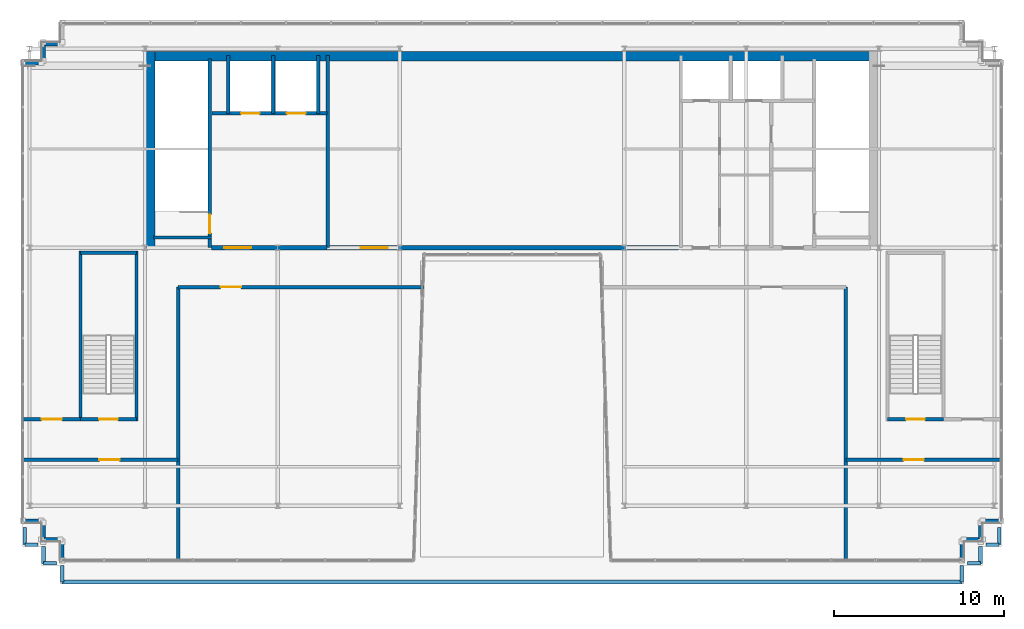
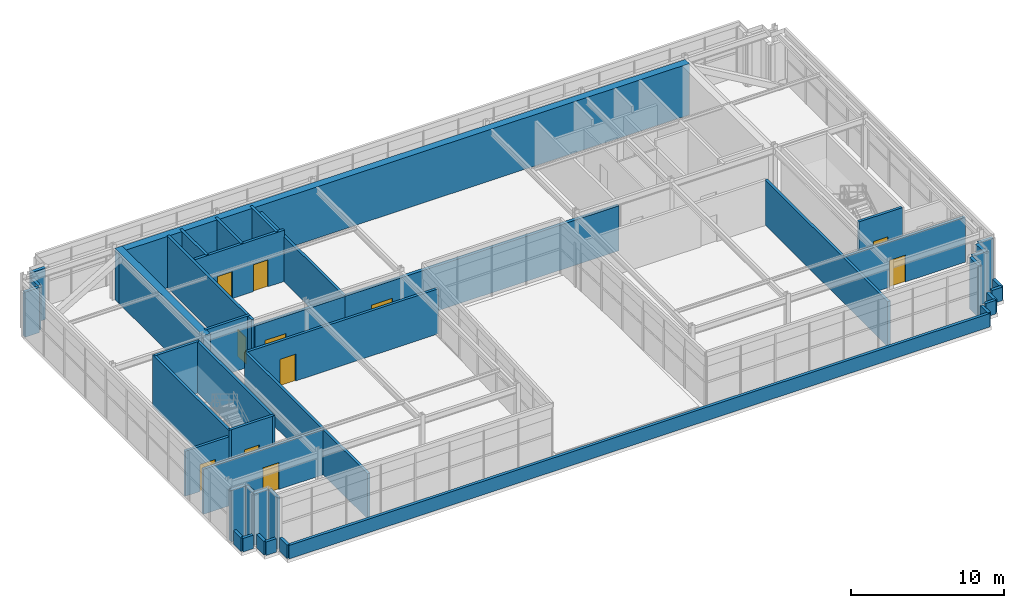
# One storey, part 33 of 37: 44 walls, 11 doors, 11 openings.
"""IFC4 building model written with IfcOpenShell, lengths in metres."""

from ifc_helpers import new_model, si_unit, direction, frame, frame_2d, origin, place, context, subcontext, project, spatial, rectangle, extrude, source, transform, mapped, material, layer, layer_set, type_object, element, fill, save


model = new_model("IFC4")

# Units and contexts
model_context = context("Model", 3, precision=1e-05, world=origin(), true_north=direction((0.0, 1.0)))
body_context = subcontext(model_context, "Body", "Model", "MODEL_VIEW")
ifc_project = project(units=[si_unit("LENGTHUNIT", "METRE"), si_unit("AREAUNIT", "SQUARE_METRE"), si_unit("VOLUMEUNIT", "CUBIC_METRE"), si_unit("PLANEANGLEUNIT", "RADIAN"), si_unit("MASSUNIT", "GRAM", prefix="KILO")], contexts=[model_context])

# Site, building, storey
site_placement = place(None, origin())
site = spatial("IfcSite", under=ifc_project, at=site_placement, CompositionType="ELEMENT")
building_placement = place(site_placement, origin())
building = spatial("IfcBuilding", under=site, at=building_placement, Name="Trelvane Seafront Commons", CompositionType="ELEMENT")
storey_placement = place(building_placement, frame((0.0, 0.0, 303.5)))
storey = spatial("IfcBuildingStorey", under=building, at=storey_placement, Name="L79", CompositionType="ELEMENT", Elevation=303.5)

# Walls
ifc_material_1 = material(Name="Precast concrete C40/50", Category="concrete")
ifc_layer_1 = layer(ifc_material_1, 0.239990234375, Name="ARCH-WALL-EXT240")
ifc_layer_set_1 = layer_set([ifc_layer_1], Name="Precast concrete C40/50")
wall_type_1 = type_object("IfcWallType", Name="ARCH-WALL-EXT240", PredefinedType="SOLIDWALL", material=ifc_layer_set_1)
wall_1_placement = place(storey_placement, frame((10.60009765625, 16.219970703125, 0.0), z_axis=(0.0, 0.0, 1.0), x_axis=(-1.0, 0.0, 0.0)))
element("IfcWall", 1, at=wall_1_placement, inside=storey, type_object=wall_type_1, Name="EW-L79-CRN-01621", PredefinedType="SOLIDWALL", context=body_context, shape_type="SweptSolid", body=[
    extrude(rectangle(XDim=1.10009765625, YDim=0.239990234375, at=frame_2d((0.550048828125, 0.0))), origin(), (0.0, 0.0, 1.0), 4.10009765625),
])
wall_2_placement = place(storey_placement, frame((9.6201171875, 16.10009765625, 0.0), z_axis=(0.0, 0.0, 1.0), x_axis=(0.0, 1.0, 0.0)))
element("IfcWall", 2, at=wall_2_placement, inside=storey, type_object=wall_type_1, Name="EW-L79-CRN-01622", PredefinedType="SOLIDWALL", context=body_context, shape_type="SweptSolid", body=[
    extrude(rectangle(XDim=1.099853515625, YDim=0.239990234375, at=frame_2d((0.5498046875, 0.0))), origin(), (0.0, 0.0, 1.0), 4.10009765625),
])
wall_3_placement = place(storey_placement, frame((9.5, 17.320068359375, 0.0), z_axis=(0.0, 0.0, 1.0), x_axis=(-1.0, 0.0, 0.0)))
element("IfcWall", 3, at=wall_3_placement, inside=storey, type_object=wall_type_1, Name="EW-L79-CRN-01623", PredefinedType="SOLIDWALL", context=body_context, shape_type="SweptSolid", body=[
    extrude(rectangle(XDim=1.10009765625, YDim=0.239990234375, at=frame_2d((0.550048828125, 0.0))), origin(), (0.0, 0.0, 1.0), 4.10009765625),
])
for number, where, z_axis, x_axis, name in (
    (4, (8.39990234375, 44.280029296875, 0.0), (0.0, 0.0, 1.0), (1.0, 0.0, 0.0), "EW-L79-CRN-01624"),
    (5, (9.6201171875, 44.39990234375, 0.0), (0.0, 0.0, 1.0), (0.0, 1.0, 0.0), "EW-L79-CRN-01625"),
):
    element("IfcWall", number, at=place(storey_placement, frame(where, z_axis=z_axis, x_axis=x_axis)), inside=storey, type_object=wall_type_1, Name=name, PredefinedType="SOLIDWALL", context=body_context, shape_type="SweptSolid", body=[
        extrude(rectangle(XDim=1.10009765625, YDim=0.239990234375, at=frame_2d((0.550048828125, 0.0))), origin(), (0.0, 0.0, 1.0), 3.60009765625),
    ])
for number, where, z_axis, x_axis, name in (
    (6, (9.5, 45.3798828125, 0.0), (0.0, 0.0, 1.0), (1.0, 0.0, 0.0), "EW-L79-CRN-01626"),
    (7, (66.0, 17.320068359375, 0.0), (0.0, 0.0, 1.0), (-1.0, 0.0, 0.0), "EW-L79-CRN-01632"),
):
    element("IfcWall", number, at=place(storey_placement, frame(where, z_axis=z_axis, x_axis=x_axis)), inside=storey, type_object=wall_type_1, Name=name, PredefinedType="SOLIDWALL", context=body_context, shape_type="SweptSolid", body=[
        extrude(rectangle(XDim=1.10009765625, YDim=0.239990234375, at=frame_2d((0.550048828125, 0.0))), origin(), (0.0, 0.0, 1.0), 4.10009765625),
    ])
for number, where, z_axis, x_axis, name in (
    (8, (64.780029296875, 17.199951171875, 0.0), (0.0, 0.0, 1.0), (0.0, -1.0, 0.0), "EW-L79-CRN-01633"),
    (9, (64.89990234375, 16.219970703125, 0.0), (0.0, 0.0, 1.0), (-1.0, 0.0, 0.0), "EW-L79-CRN-01634"),
):
    element("IfcWall", number, at=place(storey_placement, frame(where, z_axis=z_axis, x_axis=x_axis)), inside=storey, type_object=wall_type_1, Name=name, PredefinedType="SOLIDWALL", context=body_context, shape_type="SweptSolid", body=[
        extrude(rectangle(XDim=1.099853515625, YDim=0.239990234375, at=frame_2d((0.5498046875, 0.0))), origin(), (0.0, 0.0, 1.0), 4.10009765625),
    ])
for number, where, z_axis, x_axis, name in (
    (10, (63.679931640625, 16.10009765625, 0.0), (0.0, 0.0, 1.0), (0.0, -1.0, 0.0), "EW-L79-CRN-01635"),
    (11, (10.719970703125, 15.0, 0.0), (0.0, 0.0, 1.0), (0.0, 1.0, 0.0), "EW-L79-CRN-01636"),
):
    element("IfcWall", number, at=place(storey_placement, frame(where, z_axis=z_axis, x_axis=x_axis)), inside=storey, type_object=wall_type_1, Name=name, PredefinedType="SOLIDWALL", context=body_context, shape_type="SweptSolid", body=[
        extrude(rectangle(XDim=1.10009765625, YDim=0.239990234375, at=frame_2d((0.550048828125, 0.0))), origin(), (0.0, 0.0, 1.0), 4.10009765625),
    ])

# Wall, opening, door
ifc_material_2 = material(Name="Concrete C40/50", Category="concrete")
ifc_layer_2 = layer(ifc_material_2, 0.199951171875, Name="ARCH-WALL-FIRE200")
ifc_layer_set_2 = layer_set([ifc_layer_2], Name="Concrete C40/50")
wall_type_2 = type_object("IfcWallType", Name="ARCH-WALL-FIRE200", PredefinedType="PARTITIONING", material=ifc_layer_set_2)
wall_4_placement = place(storey_placement, frame((17.550048828125, 31.080078125, 0.0), z_axis=(0.0, 0.0, 1.0), x_axis=(1.0, 0.0, 0.0)))
wall_4 = element("IfcWall", 12, at=wall_4_placement, inside=storey, type_object=wall_type_2, Name="W-L79-CRN79-NW-032", PredefinedType="PARTITIONING", context=body_context, shape_type="SweptSolid", body=[
    extrude(rectangle(XDim=14.469970703125, YDim=0.199951171875, at=frame_2d((7.23486328125, 0.0))), origin(), (0.0, 0.0, 1.0), 3.60009765625),
])
opening_1_placement = place(wall_4_placement, frame((2.5, 0.0, 0.0)))
opening_1 = element("IfcOpeningElement", 13, at=opening_1_placement, cuts=wall_4, Name="Opening FD-L79-16", PredefinedType="OPENING", context=body_context, shape_type="SweptSolid", body=[
    extrude(rectangle(XDim=1.199951171875, YDim=2.14990234375, at=frame_2d((0.60009765625, 1.074951171875))), frame((0.0, 0.10986328125, 0.0), z_axis=(0.0, -1.0, 0.0), x_axis=(1.0, 0.0, 0.0)), (0.0, 0.0, 1.0), 0.219970703125),
])
ifc_material_3 = material(Name="Powder-coated aluminium frame", Category="aluminium")
door_type_1 = type_object("IfcDoorType", Name="ARCH-DR-FD60-1200", OperationType="NOTDEFINED", PredefinedType="DOOR", material=ifc_material_3)
shared_shape_1 = source(origin(), body_context, "Body", "SweptSolid", [
    extrude(rectangle(XDim=1.199951171875, YDim=2.14990234375, at=frame_2d((0.60009765625, 1.074951171875))), frame((0.0, 0.02490234375, 0.0), z_axis=(0.0, -1.0, 0.0), x_axis=(1.0, 0.0, 0.0)), (0.0, 0.0, 1.0), 0.050048828125),
])
door_1_placement = place(opening_1_placement, origin())
door_1 = element("IfcDoor", 14, at=door_1_placement, inside=storey, type_object=door_type_1, Name="L79 Door 16", OperationType="SINGLE_SWING_RIGHT", OverallHeight=2.14990234375, OverallWidth=1.199951171875, PredefinedType="DOOR", context=body_context, shape_type="MappedRepresentation", body=[
    mapped(shared_shape_1, transform((0.0, 0.0, 0.0), x_axis=(1.0, 0.0, 0.0), y_axis=(0.0, 1.0, 0.0), z_axis=(0.0, 0.0, 1.0), scale=1.0)),
])
fill(opening_1, door_1)

# Wall
wall_5_placement = place(storey_placement, frame((17.550048828125, 15.010009765625, 0.0), z_axis=(0.0, 0.0, 1.0), x_axis=(0.0, 1.0, 0.0)))
element("IfcWall", 15, at=wall_5_placement, inside=storey, type_object=wall_type_2, Name="W-L79-CRN79-WE-034", PredefinedType="PARTITIONING", context=body_context, shape_type="SweptSolid", body=[
    extrude(rectangle(XDim=16.070068359375, YDim=0.199951171875, at=frame_2d((8.03515625, 0.0))), origin(), (0.0, 0.0, 1.0), 3.60009765625),
])

# Wall, opening, door
wall_6_placement = place(storey_placement, frame((8.409912109375, 20.919921875, 0.0), z_axis=(0.0, 0.0, 1.0), x_axis=(1.0, 0.0, 0.0)))
wall_6 = element("IfcWall", 16, at=wall_6_placement, inside=storey, type_object=wall_type_2, Name="W-L79-CRN79-WS-035", PredefinedType="PARTITIONING", context=body_context, shape_type="SweptSolid", body=[
    extrude(rectangle(XDim=9.14013671875, YDim=0.199951171875, at=frame_2d((4.570068359375, 0.0))), origin(), (0.0, 0.0, 1.0), 3.60009765625),
])
opening_2_placement = place(wall_6_placement, frame((4.5, 0.0, 0.0)))
opening_2 = element("IfcOpeningElement", 17, at=opening_2_placement, cuts=wall_6, Name="Opening FD-L79-18", PredefinedType="OPENING", context=body_context, shape_type="SweptSolid", body=[
    extrude(rectangle(XDim=1.199951171875, YDim=2.14990234375, at=frame_2d((0.60009765625, 1.074951171875))), frame((0.0, 0.10986328125, 0.0), z_axis=(0.0, -1.0, 0.0), x_axis=(1.0, 0.0, 0.0)), (0.0, 0.0, 1.0), 0.219970703125),
])
door_2_placement = place(opening_2_placement, origin())
door_2 = element("IfcDoor", 18, at=door_2_placement, inside=storey, type_object=door_type_1, Name="L79 Door 18", OperationType="SINGLE_SWING_RIGHT", OverallHeight=2.14990234375, OverallWidth=1.199951171875, PredefinedType="DOOR", context=body_context, shape_type="MappedRepresentation", body=[
    mapped(shared_shape_1, transform((0.0, 0.0, 0.0), x_axis=(1.0, 0.0, 0.0), y_axis=(0.0, 1.0, 0.0), z_axis=(0.0, 0.0, 1.0), scale=1.0)),
])
fill(opening_2, door_2)

wall_7_placement = place(storey_placement, frame((8.409912109375, 23.300048828125, 0.0), z_axis=(0.0, 0.0, 1.0), x_axis=(1.0, 0.0, 0.0)))
wall_7 = element("IfcWall", 19, at=wall_7_placement, inside=storey, type_object=wall_type_2, Name="W-L79-CRN79-WCT-036", PredefinedType="PARTITIONING", context=body_context, shape_type="SweptSolid", body=[
    extrude(rectangle(XDim=3.39013671875, YDim=0.199951171875, at=frame_2d((1.695068359375, 0.0))), origin(), (0.0, 0.0, 1.0), 3.60009765625),
])
opening_3_placement = place(wall_7_placement, frame((1.10009765625, 0.0, 0.0)))
opening_3 = element("IfcOpeningElement", 20, at=opening_3_placement, cuts=wall_7, Name="Opening FD-L79-19", PredefinedType="OPENING", context=body_context, shape_type="SweptSolid", body=[
    extrude(rectangle(XDim=1.199951171875, YDim=2.14990234375, at=frame_2d((0.60009765625, 1.074951171875))), frame((0.0, 0.10986328125, 0.0), z_axis=(0.0, -1.0, 0.0), x_axis=(1.0, 0.0, 0.0)), (0.0, 0.0, 1.0), 0.219970703125),
])
door_3_placement = place(opening_3_placement, origin())
door_3 = element("IfcDoor", 21, at=door_3_placement, inside=storey, type_object=door_type_1, Name="L79 Door 19", OperationType="SINGLE_SWING_LEFT", OverallHeight=2.14990234375, OverallWidth=1.199951171875, PredefinedType="DOOR", context=body_context, shape_type="MappedRepresentation", body=[
    mapped(shared_shape_1, transform((0.0, 0.0, 0.0), x_axis=(1.0, 0.0, 0.0), y_axis=(0.0, 1.0, 0.0), z_axis=(0.0, 0.0, 1.0), scale=1.0)),
])
fill(opening_3, door_3)

# Wall
wall_8_placement = place(storey_placement, frame((56.85009765625, 15.010009765625, 0.0), z_axis=(0.0, 0.0, 1.0), x_axis=(0.0, 1.0, 0.0)))
element("IfcWall", 22, at=wall_8_placement, inside=storey, type_object=wall_type_2, Name="W-L79-CRN79-EW-037", PredefinedType="PARTITIONING", context=body_context, shape_type="SweptSolid", body=[
    extrude(rectangle(XDim=16.070068359375, YDim=0.199951171875, at=frame_2d((8.03515625, 0.0))), origin(), (0.0, 0.0, 1.0), 3.60009765625),
])

# Wall, opening, door
wall_9_placement = place(storey_placement, frame((56.85009765625, 20.919921875, 0.0), z_axis=(0.0, 0.0, 1.0), x_axis=(1.0, 0.0, 0.0)))
wall_9 = element("IfcWall", 23, at=wall_9_placement, inside=storey, type_object=wall_type_2, Name="W-L79-CRN79-ES-038", PredefinedType="PARTITIONING", context=body_context, shape_type="SweptSolid", body=[
    extrude(rectangle(XDim=9.139892578125, YDim=0.199951171875, at=frame_2d((4.56982421875, 0.0))), origin(), (0.0, 0.0, 1.0), 3.60009765625),
])
opening_4_placement = place(wall_9_placement, frame((3.39990234375, 0.0, 0.0)))
opening_4 = element("IfcOpeningElement", 24, at=opening_4_placement, cuts=wall_9, Name="Opening FD-L79-20", PredefinedType="OPENING", context=body_context, shape_type="SweptSolid", body=[
    extrude(rectangle(XDim=1.199951171875, YDim=2.14990234375, at=frame_2d((0.60009765625, 1.074951171875))), frame((0.0, 0.10986328125, 0.0), z_axis=(0.0, -1.0, 0.0), x_axis=(1.0, 0.0, 0.0)), (0.0, 0.0, 1.0), 0.219970703125),
])
door_4_placement = place(opening_4_placement, origin())
door_4 = element("IfcDoor", 25, at=door_4_placement, inside=storey, type_object=door_type_1, Name="L79 Door 20", OperationType="SINGLE_SWING_RIGHT", OverallHeight=2.14990234375, OverallWidth=1.199951171875, PredefinedType="DOOR", context=body_context, shape_type="MappedRepresentation", body=[
    mapped(shared_shape_1, transform((0.0, 0.0, 0.0), x_axis=(1.0, 0.0, 0.0), y_axis=(0.0, 1.0, 0.0), z_axis=(0.0, 0.0, 1.0), scale=1.0)),
])
fill(opening_4, door_4)

ifc_layer_3 = layer(ifc_material_2, 0.25, Name="ARCH-WALL-FIRE250")
ifc_layer_set_3 = layer_set([ifc_layer_3], Name="Concrete C40/50")
wall_type_3 = type_object("IfcWallType", Name="ARCH-WALL-FIRE250", PredefinedType="PARTITIONING", material=ifc_layer_set_3)
wall_10_placement = place(storey_placement, frame((19.5, 33.39990234375, 0.0), z_axis=(0.0, 0.0, 1.0), x_axis=(1.0, 0.0, 0.0)))
wall_10 = element("IfcWall", 26, at=wall_10_placement, inside=storey, type_object=wall_type_3, Name="W-L79-CS-FFL-021", PredefinedType="PARTITIONING", context=body_context, shape_type="SweptSolid", body=[
    extrude(rectangle(XDim=6.800048828125, YDim=0.25, at=frame_2d((3.39990234375, 0.0))), origin(), (0.0, 0.0, 1.0), 3.60009765625),
])
opening_5_placement = place(wall_10_placement, frame((0.75, 0.0, 0.0)))
opening_5 = element("IfcOpeningElement", 27, at=opening_5_placement, cuts=wall_10, Name="Opening FD-L79-07", PredefinedType="OPENING", context=body_context, shape_type="SweptSolid", body=[
    extrude(rectangle(XDim=1.60009765625, YDim=2.199951171875, at=frame_2d((0.800048828125, 1.10009765625))), frame((0.0, 0.135009765625, 0.0), z_axis=(0.0, -1.0, 0.0), x_axis=(1.0, 0.0, 0.0)), (0.0, 0.0, 1.0), 0.27001953125),
])
door_type_2 = type_object("IfcDoorType", Name="ARCH-DR-FD60-1600", OperationType="DOUBLE_DOOR_SINGLE_SWING", PredefinedType="DOOR", material=ifc_material_3)
shared_shape_2 = source(origin(), body_context, "Body", "SweptSolid", [
    extrude(rectangle(XDim=1.60009765625, YDim=2.199951171875, at=frame_2d((0.800048828125, 1.10009765625))), frame((0.0, 0.02490234375, 0.0), z_axis=(0.0, -1.0, 0.0), x_axis=(1.0, 0.0, 0.0)), (0.0, 0.0, 1.0), 0.050048828125),
])
door_5_placement = place(opening_5_placement, origin())
door_5 = element("IfcDoor", 28, at=door_5_placement, inside=storey, type_object=door_type_2, Name="L79 Firefighting Lift Lobby Double Fire Door", OperationType="DOUBLE_DOOR_SINGLE_SWING", OverallHeight=2.199951171875, OverallWidth=1.60009765625, PredefinedType="DOOR", context=body_context, shape_type="MappedRepresentation", body=[
    mapped(shared_shape_2, transform((0.0, 0.0, 0.0), x_axis=(1.0, 0.0, 0.0), y_axis=(0.0, 1.0, 0.0), z_axis=(0.0, 0.0, 1.0), scale=1.0)),
])
fill(opening_5, door_5)

wall_11_placement = place(storey_placement, frame((26.300048828125, 33.39990234375, 0.0), z_axis=(0.0, 0.0, 1.0), x_axis=(1.0, 0.0, 0.0)))
wall_11 = element("IfcWall", 29, at=wall_11_placement, inside=storey, type_object=wall_type_3, Name="W-L79-CS-MID-022", PredefinedType="PARTITIONING", context=body_context, shape_type="SweptSolid", body=[
    extrude(rectangle(XDim=20.699951171875, YDim=0.25, at=frame_2d((10.35009765625, 0.0))), origin(), (0.0, 0.0, 1.0), 3.60009765625),
])
opening_6_placement = place(wall_11_placement, frame((2.0, 0.0, 0.0)))
opening_6 = element("IfcOpeningElement", 30, at=opening_6_placement, cuts=wall_11, Name="Opening FD-L79-08", PredefinedType="OPENING", context=body_context, shape_type="SweptSolid", body=[
    extrude(rectangle(XDim=1.60009765625, YDim=2.199951171875, at=frame_2d((0.800048828125, 1.10009765625))), frame((0.0, 0.135009765625, 0.0), z_axis=(0.0, -1.0, 0.0), x_axis=(1.0, 0.0, 0.0)), (0.0, 0.0, 1.0), 0.27001953125),
])
door_6_placement = place(opening_6_placement, origin())
door_6 = element("IfcDoor", 31, at=door_6_placement, inside=storey, type_object=door_type_2, Name="L79 Core Technical Room Door", OperationType="DOUBLE_DOOR_SINGLE_SWING", OverallHeight=2.199951171875, OverallWidth=1.60009765625, PredefinedType="DOOR", context=body_context, shape_type="MappedRepresentation", body=[
    mapped(shared_shape_2, transform((0.0, 0.0, 0.0), x_axis=(1.0, 0.0, 0.0), y_axis=(0.0, 1.0, 0.0), z_axis=(0.0, 0.0, 1.0), scale=1.0)),
])
fill(opening_6, door_6)

# Walls
ifc_layer_4 = layer(ifc_material_1, 0.219970703125, Name="ARCH-WALL-PARAPET220")
ifc_layer_set_4 = layer_set([ifc_layer_4], Name="Precast concrete C40/50")
wall_type_4 = type_object("IfcWallType", Name="ARCH-WALL-PARAPET220", PredefinedType="PARAPET", material=ifc_layer_set_4)
wall_12_placement = place(storey_placement, frame((65.8798828125, 15.919921875, 0.0), z_axis=(0.0, 0.0, 1.0), x_axis=(-1.0, 0.0, 0.0)))
element("IfcWall", 32, at=wall_12_placement, inside=storey, type_object=wall_type_4, Name="PAR-L79-1637", PredefinedType="PARAPET", context=body_context, shape_type="SweptSolid", body=[
    extrude(rectangle(XDim=0.765625, YDim=0.219970703125, at=frame_2d((0.3828125, 0.0))), origin(), (0.0, 0.0, 1.0), 1.080078125),
])
wall_13_placement = place(storey_placement, frame((64.780029296875, 15.800048828125, 0.0), z_axis=(0.0, 0.0, 1.0), x_axis=(0.0, -1.0, 0.0)))
element("IfcWall", 33, at=wall_13_placement, inside=storey, type_object=wall_type_4, Name="PAR-L79-1638", PredefinedType="PARAPET", context=body_context, shape_type="SweptSolid", body=[
    extrude(rectangle(XDim=0.97998046875, YDim=0.219970703125, at=frame_2d((0.489990234375, 0.0))), origin(), (0.0, 0.0, 1.0), 1.080078125),
])
wall_14_placement = place(storey_placement, frame((64.780029296875, 14.820068359375, 0.0), z_axis=(0.0, 0.0, 1.0), x_axis=(-1.0, 0.0, 0.0)))
element("IfcWall", 34, at=wall_14_placement, inside=storey, type_object=wall_type_4, Name="PAR-L79-1639", PredefinedType="PARAPET", context=body_context, shape_type="SweptSolid", body=[
    extrude(rectangle(XDim=0.765625, YDim=0.219970703125, at=frame_2d((0.3828125, 0.0))), origin(), (0.0, 0.0, 1.0), 1.080078125),
])
wall_15_placement = place(storey_placement, frame((63.679931640625, 14.699951171875, 0.0), z_axis=(0.0, 0.0, 1.0), x_axis=(0.0, -1.0, 0.0)))
element("IfcWall", 35, at=wall_15_placement, inside=storey, type_object=wall_type_4, Name="PAR-L79-1640", PredefinedType="PARAPET", context=body_context, shape_type="SweptSolid", body=[
    extrude(rectangle(XDim=0.97998046875, YDim=0.219970703125, at=frame_2d((0.489990234375, 0.0))), origin(), (0.0, 0.0, 1.0), 1.080078125),
])
wall_16_placement = place(storey_placement, frame((63.679931640625, 13.719970703125, 0.0), z_axis=(0.0, 0.0, 1.0), x_axis=(-1.0, 0.0, 0.0)))
element("IfcWall", 36, at=wall_16_placement, inside=storey, type_object=wall_type_4, Name="PAR-L79-1641", PredefinedType="PARAPET", context=body_context, shape_type="SweptSolid", body=[
    extrude(rectangle(XDim=52.9599609375, YDim=0.219970703125, at=frame_2d((26.47998046875, 0.0))), origin(), (0.0, 0.0, 1.0), 1.080078125),
])
wall_17_placement = place(storey_placement, frame((10.719970703125, 13.719970703125, 0.0), z_axis=(0.0, 0.0, 1.0), x_axis=(0.0, 1.0, 0.0)))
element("IfcWall", 37, at=wall_17_placement, inside=storey, type_object=wall_type_4, Name="PAR-L79-1642", PredefinedType="PARAPET", context=body_context, shape_type="SweptSolid", body=[
    extrude(rectangle(XDim=0.97998046875, YDim=0.219970703125, at=frame_2d((0.489990234375, 0.0))), origin(), (0.0, 0.0, 1.0), 1.080078125),
])
wall_18_placement = place(storey_placement, frame((10.3857421875, 14.820068359375, 0.0), z_axis=(0.0, 0.0, 1.0), x_axis=(-1.0, 0.0, 0.0)))
element("IfcWall", 38, at=wall_18_placement, inside=storey, type_object=wall_type_4, Name="PAR-L79-1643", PredefinedType="PARAPET", context=body_context, shape_type="SweptSolid", body=[
    extrude(rectangle(XDim=0.765625, YDim=0.219970703125, at=frame_2d((0.3828125, 0.0))), origin(), (0.0, 0.0, 1.0), 1.080078125),
])
wall_19_placement = place(storey_placement, frame((9.6201171875, 14.820068359375, 0.0), z_axis=(0.0, 0.0, 1.0), x_axis=(0.0, 1.0, 0.0)))
element("IfcWall", 39, at=wall_19_placement, inside=storey, type_object=wall_type_4, Name="PAR-L79-1644", PredefinedType="PARAPET", context=body_context, shape_type="SweptSolid", body=[
    extrude(rectangle(XDim=0.97998046875, YDim=0.219970703125, at=frame_2d((0.489990234375, 0.0))), origin(), (0.0, 0.0, 1.0), 1.080078125),
])
wall_20_placement = place(storey_placement, frame((9.28564453125, 15.919921875, 0.0), z_axis=(0.0, 0.0, 1.0), x_axis=(-1.0, 0.0, 0.0)))
element("IfcWall", 40, at=wall_20_placement, inside=storey, type_object=wall_type_4, Name="PAR-L79-1645", PredefinedType="PARAPET", context=body_context, shape_type="SweptSolid", body=[
    extrude(rectangle(XDim=0.765625, YDim=0.219970703125, at=frame_2d((0.3828125, 0.0))), origin(), (0.0, 0.0, 1.0), 1.080078125),
])
for number, where, z_axis, x_axis, name in (
    (41, (8.52001953125, 15.919921875, 0.0), (0.0, 0.0, 1.0), (0.0, 1.0, 0.0), "PAR-L79-1646"),
    (42, (65.8798828125, 16.919921875, 0.0), (0.0, 0.0, 1.0), (0.0, -1.0, 0.0), "PAR-L79-1647"),
):
    element("IfcWall", number, at=place(storey_placement, frame(where, z_axis=z_axis, x_axis=x_axis)), inside=storey, type_object=wall_type_4, Name=name, PredefinedType="PARAPET", context=body_context, shape_type="SweptSolid", body=[
        extrude(rectangle(XDim=1.0, YDim=0.219970703125, at=frame_2d((0.5, 0.0))), origin(), (0.0, 0.0, 1.0), 1.080078125),
    ])

# Wall, openings, doors
ifc_layer_5 = layer(ifc_material_2, 0.199951171875, Name="ARCH-WALL-SHAFT200")
ifc_layer_set_5 = layer_set([ifc_layer_5], Name="Concrete C40/50")
wall_type_5 = type_object("IfcWallType", Name="ARCH-WALL-SHAFT200", PredefinedType="SOLIDWALL", material=ifc_layer_set_5)
wall_21_placement = place(storey_placement, frame((19.550048828125, 41.300048828125, 0.0), z_axis=(0.0, 0.0, 1.0), x_axis=(1.0, 0.0, 0.0)))
wall_21 = element("IfcWall", 43, at=wall_21_placement, inside=storey, type_object=wall_type_5, Name="W-L79-FFL-FRONT-016", PredefinedType="SOLIDWALL", context=body_context, shape_type="SweptSolid", body=[
    extrude(rectangle(XDim=6.75, YDim=0.199951171875, at=frame_2d((3.375, 0.0))), origin(), (0.0, 0.0, 1.0), 4.10009765625),
])
opening_7_placement = place(wall_21_placement, frame((1.699951171875, 0.0, 0.0)))
opening_7 = element("IfcOpeningElement", 44, at=opening_7_placement, cuts=wall_21, Name="Opening LD-FF1-L79", PredefinedType="OPENING", context=body_context, shape_type="SweptSolid", body=[
    extrude(rectangle(XDim=1.10009765625, YDim=2.14990234375, at=frame_2d((0.550048828125, 1.074951171875))), frame((0.0, 0.10986328125, 0.0), z_axis=(0.0, -1.0, 0.0), x_axis=(1.0, 0.0, 0.0)), (0.0, 0.0, 1.0), 0.219970703125),
])
opening_8_placement = place(wall_21_placement, frame((4.39990234375, 0.0, 0.0)))
opening_8 = element("IfcOpeningElement", 45, at=opening_8_placement, cuts=wall_21, Name="Opening LD-FF2-L79", PredefinedType="OPENING", context=body_context, shape_type="SweptSolid", body=[
    extrude(rectangle(XDim=1.10009765625, YDim=2.14990234375, at=frame_2d((0.550048828125, 1.074951171875))), frame((0.0, 0.10986328125, 0.0), z_axis=(0.0, -1.0, 0.0), x_axis=(1.0, 0.0, 0.0)), (0.0, 0.0, 1.0), 0.219970703125),
])
ifc_material_4 = material(Name="Stainless steel balustrade", Category="steel")
door_type_3 = type_object("IfcDoorType", Name="ARCH-DR-LD1100", OperationType="DOUBLE_DOOR_SLIDING", PredefinedType="DOOR", material=ifc_material_4)
shared_shape_3 = source(origin(), body_context, "Body", "SweptSolid", [
    extrude(rectangle(XDim=1.10009765625, YDim=2.14990234375, at=frame_2d((0.550048828125, 1.074951171875))), frame((0.0, 0.02490234375, 0.0), z_axis=(0.0, -1.0, 0.0), x_axis=(1.0, 0.0, 0.0)), (0.0, 0.0, 1.0), 0.050048828125),
])
door_7_placement = place(opening_7_placement, origin())
door_7 = element("IfcDoor", 46, at=door_7_placement, inside=storey, type_object=door_type_3, Name="L79 Firefighting Lift FFL-1 Landing Door", OperationType="DOUBLE_DOOR_SLIDING", OverallHeight=2.14990234375, OverallWidth=1.10009765625, PredefinedType="DOOR", context=body_context, shape_type="MappedRepresentation", body=[
    mapped(shared_shape_3, transform((0.0, 0.0, 0.0), x_axis=(1.0, 0.0, 0.0), y_axis=(0.0, 1.0, 0.0), z_axis=(0.0, 0.0, 1.0), scale=1.0)),
])
fill(opening_7, door_7)
door_8_placement = place(opening_8_placement, origin())
door_8 = element("IfcDoor", 47, at=door_8_placement, inside=storey, type_object=door_type_3, Name="L79 Firefighting Lift FFL-2 Landing Door", OperationType="DOUBLE_DOOR_SLIDING", OverallHeight=2.14990234375, OverallWidth=1.10009765625, PredefinedType="DOOR", context=body_context, shape_type="MappedRepresentation", body=[
    mapped(shared_shape_3, transform((0.0, 0.0, 0.0), x_axis=(1.0, 0.0, 0.0), y_axis=(0.0, 1.0, 0.0), z_axis=(0.0, 0.0, 1.0), scale=1.0)),
])
fill(opening_8, door_8)

# Walls
for number, where, z_axis, x_axis, name in (
    (48, (20.5, 41.300048828125, 0.0), (0.0, 0.0, 1.0), (0.0, 1.0, 0.0), "W-L79-FFL-SH-W-017"),
    (49, (23.14990234375, 41.300048828125, 0.0), (0.0, 0.0, 1.0), (0.0, 1.0, 0.0), "W-L79-FFL-DIV-018"),
    (50, (25.800048828125, 41.300048828125, 0.0), (0.0, 0.0, 1.0), (0.0, 1.0, 0.0), "W-L79-FFL-SH-E-019"),
):
    element("IfcWall", number, at=place(storey_placement, frame(where, z_axis=z_axis, x_axis=x_axis)), inside=storey, type_object=wall_type_5, Name=name, PredefinedType="SOLIDWALL", context=body_context, shape_type="SweptSolid", body=[
        extrude(rectangle(XDim=3.39990234375, YDim=0.199951171875, at=frame_2d((1.699951171875, 0.0))), origin(), (0.0, 0.0, 1.0), 4.10009765625),
    ])
wall_22_placement = place(storey_placement, frame((26.35009765625, 33.39990234375, 0.0), z_axis=(0.0, 0.0, 1.0), x_axis=(0.0, 1.0, 0.0)))
element("IfcWall", 51, at=wall_22_placement, inside=storey, type_object=wall_type_5, Name="W-L79-FFL-EAST-020", PredefinedType="SOLIDWALL", context=body_context, shape_type="SweptSolid", body=[
    extrude(rectangle(XDim=11.300048828125, YDim=0.199951171875, at=frame_2d((5.64990234375, 0.0))), origin(), (0.0, 0.0, 1.0), 3.60009765625),
])
ifc_material_5 = material(Name="Concrete C50/60", Category="concrete")
ifc_layer_6 = layer(ifc_material_5, 0.550048828125, Name="STR-WALL-CORE550")
ifc_layer_set_6 = layer_set([ifc_layer_6], Name="Concrete C50/60")
wall_type_6 = type_object("IfcWallType", Name="STR-WALL-CORE550", PredefinedType="SHEAR", material=ifc_layer_set_6)
wall_23_placement = place(storey_placement, frame((15.64990234375, 44.675048828125, 0.0), z_axis=(0.0, 0.0, 1.0), x_axis=(1.0, 0.0, 0.0)))
element("IfcWall", 52, at=wall_23_placement, inside=storey, type_object=wall_type_6, Name="W-L79-CN-ALL-001", PredefinedType="SHEAR", context=body_context, shape_type="SweptSolid", body=[
    extrude(rectangle(XDim=43.10009765625, YDim=0.550048828125, at=frame_2d((21.550048828125, 0.0))), origin(), (0.0, 0.0, 1.0), 4.10009765625),
])
wall_24_placement = place(storey_placement, frame((15.925048828125, 33.39990234375, 0.0), z_axis=(0.0, 0.0, 1.0), x_axis=(0.0, 1.0, 0.0)))
element("IfcWall", 53, at=wall_24_placement, inside=storey, type_object=wall_type_6, Name="W-L79-CW-END-002", PredefinedType="SHEAR", context=body_context, shape_type="SweptSolid", body=[
    extrude(rectangle(XDim=11.550048828125, YDim=0.550048828125, at=frame_2d((5.77490234375, 0.0))), origin(), (0.0, 0.0, 1.0), 4.10009765625),
])
ifc_layer_7 = layer(ifc_material_5, 0.199951171875, Name="STR-WALL-STAIR200")
ifc_layer_set_7 = layer_set([ifc_layer_7], Name="Concrete C50/60")
wall_type_7 = type_object("IfcWallType", Name="STR-WALL-STAIR200", PredefinedType="SHEAR", material=ifc_layer_set_7)
wall_25_placement = place(storey_placement, frame((16.10009765625, 34.0, 0.0), z_axis=(0.0, 0.0, 1.0), x_axis=(1.0, 0.0, 0.0)))
element("IfcWall", 54, at=wall_25_placement, inside=storey, type_object=wall_type_7, Name="W-L79-ST1-S-004", PredefinedType="SHEAR", context=body_context, shape_type="SweptSolid", body=[
    extrude(rectangle(XDim=3.39990234375, YDim=0.199951171875, at=frame_2d((1.699951171875, 0.0))), origin(), (0.0, 0.0, 1.0), 4.10009765625),
])

# Wall, opening, door
wall_26_placement = place(storey_placement, frame((19.39990234375, 33.39990234375, 0.0), z_axis=(0.0, 0.0, 1.0), x_axis=(0.0, 1.0, 0.0)))
wall_26 = element("IfcWall", 55, at=wall_26_placement, inside=storey, type_object=wall_type_7, Name="W-L79-ST1-E-005", PredefinedType="SHEAR", context=body_context, shape_type="SweptSolid", body=[
    extrude(rectangle(XDim=11.10009765625, YDim=0.199951171875, at=frame_2d((5.550048828125, 0.0))), origin(), (0.0, 0.0, 1.0), 4.10009765625),
])
opening_9_placement = place(wall_26_placement, frame((0.85009765625, 0.0, 0.0)))
opening_9 = element("IfcOpeningElement", 56, at=opening_9_placement, cuts=wall_26, Name="Opening ST-D1-L79", PredefinedType="OPENING", context=body_context, shape_type="SweptSolid", body=[
    extrude(rectangle(XDim=1.10009765625, YDim=2.14990234375, at=frame_2d((0.550048828125, 1.074951171875))), frame((0.0, 0.10986328125, 0.0), z_axis=(0.0, -1.0, 0.0), x_axis=(1.0, 0.0, 0.0)), (0.0, 0.0, 1.0), 0.219970703125),
])
door_type_4 = type_object("IfcDoorType", Name="ARCH-DR-FD90-1100", OperationType="NOTDEFINED", PredefinedType="DOOR", material=ifc_material_3)
door_9_placement = place(opening_9_placement, origin())
door_9 = element("IfcDoor", 57, at=door_9_placement, inside=storey, type_object=door_type_4, Name="L79 Stair ST-1 Lobby Fire Door", OperationType="SINGLE_SWING_LEFT", OverallHeight=2.14990234375, OverallWidth=1.10009765625, PredefinedType="DOOR", context=body_context, shape_type="MappedRepresentation", body=[
    mapped(shared_shape_3, transform((0.0, 0.0, 0.0), x_axis=(1.0, 0.0, 0.0), y_axis=(0.0, 1.0, 0.0), z_axis=(0.0, 0.0, 1.0), scale=1.0)),
])
fill(opening_9, door_9)

# Walls
for number, where, z_axis, x_axis, name in (
    (58, (11.800048828125, 23.199951171875, 0.0), (0.0, 0.0, 1.0), (0.0, 1.0, 0.0), "W-L79-ST5-W-008"),
    (59, (15.10009765625, 23.199951171875, 0.0), (0.0, 0.0, 1.0), (0.0, 1.0, 0.0), "W-L79-ST5-E-009"),
):
    element("IfcWall", number, at=place(storey_placement, frame(where, z_axis=z_axis, x_axis=x_axis)), inside=storey, type_object=wall_type_7, Name=name, PredefinedType="SHEAR", context=body_context, shape_type="SweptSolid", body=[
        extrude(rectangle(XDim=10.0, YDim=0.199951171875, at=frame_2d((5.0, 0.0))), origin(), (0.0, 0.0, 1.0), 4.10009765625),
    ])
wall_27_placement = place(storey_placement, frame((11.800048828125, 33.10009765625, 0.0), z_axis=(0.0, 0.0, 1.0), x_axis=(1.0, 0.0, 0.0)))
element("IfcWall", 60, at=wall_27_placement, inside=storey, type_object=wall_type_7, Name="W-L79-ST5-N-010", PredefinedType="SHEAR", context=body_context, shape_type="SweptSolid", body=[
    extrude(rectangle(XDim=3.300048828125, YDim=0.199951171875, at=frame_2d((1.64990234375, 0.0))), origin(), (0.0, 0.0, 1.0), 4.10009765625),
])

# Wall, opening, door
wall_28_placement = place(storey_placement, frame((11.800048828125, 23.300048828125, 0.0), z_axis=(0.0, 0.0, 1.0), x_axis=(1.0, 0.0, 0.0)))
wall_28 = element("IfcWall", 61, at=wall_28_placement, inside=storey, type_object=wall_type_7, Name="W-L79-ST5-S-011", PredefinedType="SHEAR", context=body_context, shape_type="SweptSolid", body=[
    extrude(rectangle(XDim=3.300048828125, YDim=0.199951171875, at=frame_2d((1.64990234375, 0.0))), origin(), (0.0, 0.0, 1.0), 4.10009765625),
])
opening_10_placement = place(wall_28_placement, frame((1.10009765625, 0.0, 0.0)))
opening_10 = element("IfcOpeningElement", 62, at=opening_10_placement, cuts=wall_28, Name="Opening ST-D-ST5-L79", PredefinedType="OPENING", context=body_context, shape_type="SweptSolid", body=[
    extrude(rectangle(XDim=1.10009765625, YDim=2.14990234375, at=frame_2d((0.550048828125, 1.074951171875))), frame((0.0, 0.10986328125, 0.0), z_axis=(0.0, -1.0, 0.0), x_axis=(1.0, 0.0, 0.0)), (0.0, 0.0, 1.0), 0.219970703125),
])
door_10_placement = place(opening_10_placement, origin())
door_10 = element("IfcDoor", 63, at=door_10_placement, inside=storey, type_object=door_type_4, Name="L79 Crown ST5 Fire Door", OperationType="SINGLE_SWING_LEFT", OverallHeight=2.14990234375, OverallWidth=1.10009765625, PredefinedType="DOOR", context=body_context, shape_type="MappedRepresentation", body=[
    mapped(shared_shape_3, transform((0.0, 0.0, 0.0), x_axis=(1.0, 0.0, 0.0), y_axis=(0.0, 1.0, 0.0), z_axis=(0.0, 0.0, 1.0), scale=1.0)),
])
fill(opening_10, door_10)

wall_29_placement = place(storey_placement, frame((59.300048828125, 23.300048828125, 0.0), z_axis=(0.0, 0.0, 1.0), x_axis=(1.0, 0.0, 0.0)))
wall_29 = element("IfcWall", 64, at=wall_29_placement, inside=storey, type_object=wall_type_7, Name="W-L79-ST6-S-015", PredefinedType="SHEAR", context=body_context, shape_type="SweptSolid", body=[
    extrude(rectangle(XDim=3.300048828125, YDim=0.199951171875, at=frame_2d((1.64990234375, 0.0))), origin(), (0.0, 0.0, 1.0), 4.10009765625),
])
opening_11_placement = place(wall_29_placement, frame((1.10009765625, 0.0, 0.0)))
opening_11 = element("IfcOpeningElement", 65, at=opening_11_placement, cuts=wall_29, Name="Opening ST-D-ST6-L79", PredefinedType="OPENING", context=body_context, shape_type="SweptSolid", body=[
    extrude(rectangle(XDim=1.10009765625, YDim=2.14990234375, at=frame_2d((0.550048828125, 1.074951171875))), frame((0.0, 0.10986328125, 0.0), z_axis=(0.0, -1.0, 0.0), x_axis=(1.0, 0.0, 0.0)), (0.0, 0.0, 1.0), 0.219970703125),
])
door_11_placement = place(opening_11_placement, origin())
door_11 = element("IfcDoor", 66, at=door_11_placement, inside=storey, type_object=door_type_4, Name="L79 Crown ST6 Fire Door", OperationType="SINGLE_SWING_RIGHT", OverallHeight=2.14990234375, OverallWidth=1.10009765625, PredefinedType="DOOR", context=body_context, shape_type="MappedRepresentation", body=[
    mapped(shared_shape_3, transform((0.0, 0.0, 0.0), x_axis=(1.0, 0.0, 0.0), y_axis=(0.0, 1.0, 0.0), z_axis=(0.0, 0.0, 1.0), scale=1.0)),
])
fill(opening_11, door_11)

save(model, "model.ifc")
